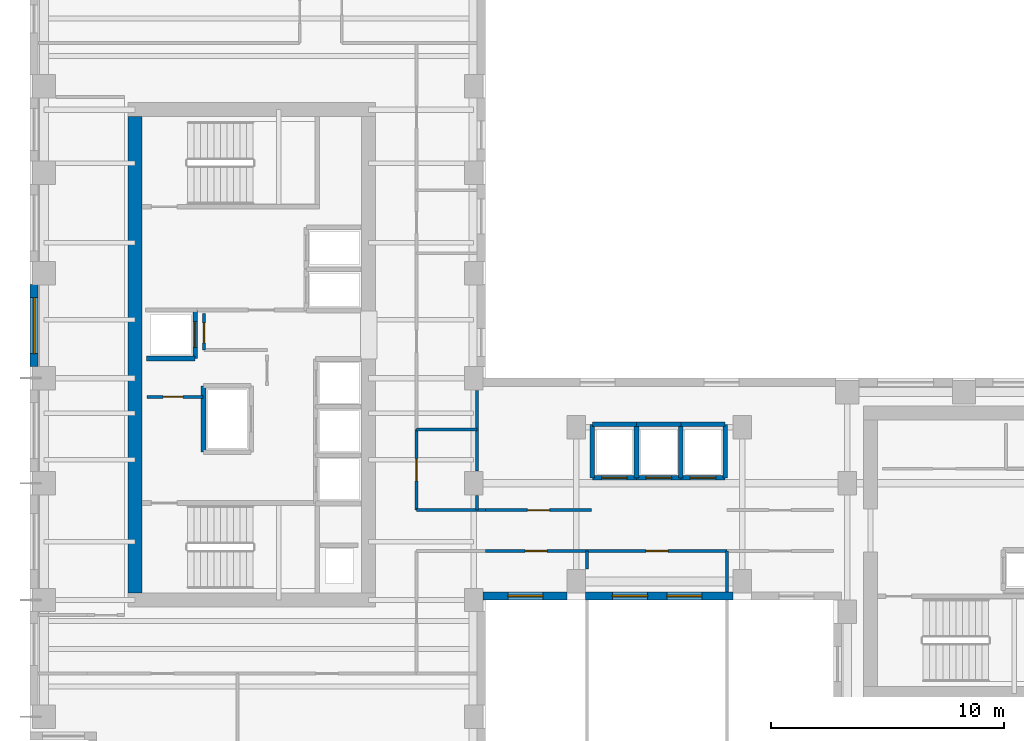
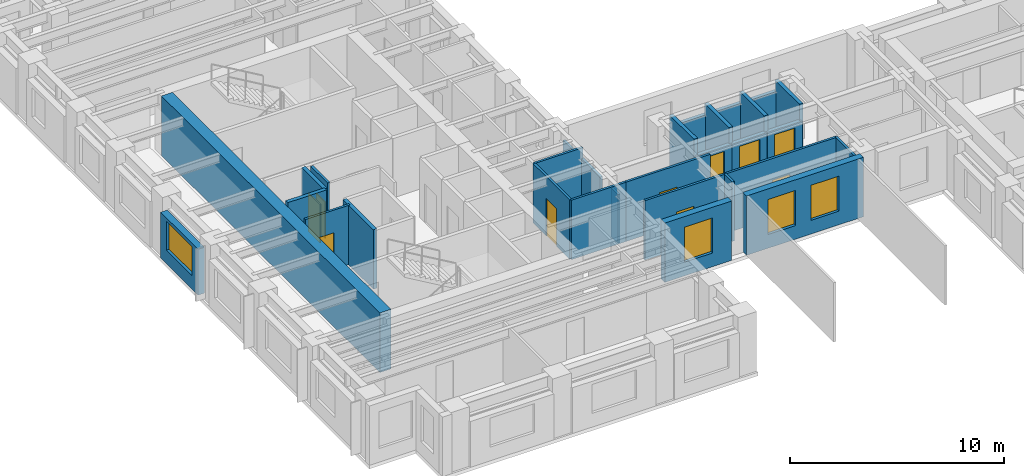
# One storey, part 4 of 11: 29 walls, 10 doors, 4 windows, 14 openings.
"""IFC4 building model written with IfcOpenShell, lengths in metres."""

from ifc_helpers import new_model, si_unit, direction, frame, frame_2d, origin, place, context, subcontext, project, spatial, rectangle, extrude, source, transform, mapped, material, layer, layer_set, type_object, element, fill, save


model = new_model("IFC4")

# Units and contexts
model_context = context("Model", 3, precision=1e-05, world=origin(), true_north=direction((0.0, 1.0)))
body_context = subcontext(model_context, "Body", "Model", "MODEL_VIEW")
ifc_project = project(units=[si_unit("LENGTHUNIT", "METRE"), si_unit("AREAUNIT", "SQUARE_METRE"), si_unit("VOLUMEUNIT", "CUBIC_METRE"), si_unit("PLANEANGLEUNIT", "RADIAN"), si_unit("MASSUNIT", "GRAM", prefix="KILO")], contexts=[model_context])

# Site, building, storey
site_placement = place(None, origin())
site = spatial("IfcSite", under=ifc_project, at=site_placement, CompositionType="ELEMENT")
building_placement = place(site_placement, origin())
building = spatial("IfcBuilding", under=site, at=building_placement, Name="Kharzan Plaza Tower", CompositionType="ELEMENT")
storey_placement = place(building_placement, frame((0.0, 0.0, 186.300048828125)))
storey = spatial("IfcBuildingStorey", under=building, at=storey_placement, Name="L50", CompositionType="ELEMENT", Elevation=186.300048828125)

# Wall, opening, window
ifc_material_1 = material(Name="Concrete C40/50", Category="concrete")
ifc_layer_1 = layer(ifc_material_1, 0.35009765625)
ifc_layer_set_1 = layer_set([ifc_layer_1], Name="Concrete C40/50")
wall_type_1 = type_object("IfcWallType", Name="WL-EXT-MAS-Z3", PredefinedType="SOLIDWALL", material=ifc_layer_set_1)
wall_1_placement = place(storey_placement, frame((0.175048828125, 22.001953125, 0.0), z_axis=(0.0, 0.0, 1.0), x_axis=(0.0, -1.0, 0.0)))
wall_1 = element("IfcWall", 1, at=wall_1_placement, inside=storey, type_object=wall_type_1, Name="L50 Masonry-Frame Exterior Wall 14", PredefinedType="SOLIDWALL", context=body_context, shape_type="SweptSolid", body=[
    extrude(rectangle(XDim=3.50390625, YDim=0.35009765625, at=frame_2d((1.751953125, 0.0))), origin(), (0.0, 0.0, 1.0), 2.612060546875),
])
opening_1_placement = place(wall_1_placement, frame((0.552001953125, 0.0, 0.780029296875)))
opening_1 = element("IfcOpeningElement", 2, at=opening_1_placement, cuts=wall_1, Name="Opening W2", PredefinedType="OPENING", context=body_context, shape_type="SweptSolid", body=[
    extrude(rectangle(XDim=2.39990234375, YDim=1.652099609375, at=frame_2d((1.199951171875, 0.826171875))), frame((0.0, 0.18505859375, 0.0), z_axis=(0.0, -1.0, 0.0), x_axis=(1.0, 0.0, 0.0)), (0.0, 0.0, 1.0), 0.3701171875),
])
ifc_material_2 = material(Name="Low-E Double Glazing", Category="glass")
window_type_1 = type_object("IfcWindowType", Name="WN-REC-2400x2100", PartitioningType="SINGLE_PANEL", PredefinedType="WINDOW", material=ifc_material_2)
shared_shape_1 = source(origin(), body_context, "Body", "SweptSolid", [
    extrude(rectangle(XDim=2.39990234375, YDim=1.652099609375, at=frame_2d((1.199951171875, 0.826171875))), frame((0.0, 0.030029296875, 0.0), z_axis=(0.0, -1.0, 0.0), x_axis=(1.0, 0.0, 0.0)), (0.0, 0.0, 1.0), 0.06005859375),
])
window_1_placement = place(opening_1_placement, origin())
window_1 = element("IfcWindow", 3, at=window_1_placement, inside=storey, type_object=window_type_1, Name="L50 Wide Recessed Solar-Control Window 14-1", OverallHeight=1.652099609375, OverallWidth=2.39990234375, PartitioningType="SINGLE_PANEL", PredefinedType="WINDOW", context=body_context, shape_type="MappedRepresentation", body=[
    mapped(shared_shape_1, transform((0.0, 0.0, 0.0), x_axis=(1.0, 0.0, 0.0), y_axis=(0.0, 1.0, 0.0), z_axis=(0.0, 0.0, 1.0))),
])
fill(opening_1, window_1)

wall_2_placement = place(storey_placement, frame((19.39794921875, 8.675048828125, 0.0), z_axis=(0.0, 0.0, 1.0), x_axis=(1.0, 0.0, 0.0)))
wall_2 = element("IfcWall", 4, at=wall_2_placement, inside=storey, type_object=wall_type_1, Name="L50 Masonry-Frame Exterior Wall 26", PredefinedType="SOLIDWALL", context=body_context, shape_type="SweptSolid", body=[
    extrude(rectangle(XDim=3.60400390625, YDim=0.35009765625, at=frame_2d((1.802001953125, 0.0))), origin(), (0.0, 0.0, 1.0), 3.385009765625),
])
opening_2_placement = place(wall_2_placement, frame((1.067138671875, 0.0, 0.780029296875)))
opening_2 = element("IfcOpeningElement", 5, at=opening_2_placement, cuts=wall_2, Name="Opening W5", PredefinedType="OPENING", context=body_context, shape_type="SweptSolid", body=[
    extrude(rectangle(XDim=1.5, YDim=2.0, at=frame_2d((0.75, 1.0))), frame((0.0, 0.18505859375, 0.0), z_axis=(0.0, -1.0, 0.0), x_axis=(1.0, 0.0, 0.0)), (0.0, 0.0, 1.0), 0.3701171875),
])
window_type_2 = type_object("IfcWindowType", Name="WN-SLT-1500x2000", PartitioningType="SINGLE_PANEL", PredefinedType="WINDOW", material=ifc_material_2)
shared_shape_2 = source(origin(), body_context, "Body", "SweptSolid", [
    extrude(rectangle(XDim=1.5, YDim=2.0, at=frame_2d((0.75, 1.0))), frame((0.0, 0.030029296875, 0.0), z_axis=(0.0, -1.0, 0.0), x_axis=(1.0, 0.0, 0.0)), (0.0, 0.0, 1.0), 0.06005859375),
])
window_2_placement = place(opening_2_placement, origin())
window_2 = element("IfcWindow", 6, at=window_2_placement, inside=storey, type_object=window_type_2, Name="L50 Recessed Solar-Control Window 26-1", OverallHeight=2.0, OverallWidth=1.5, PartitioningType="SINGLE_PANEL", PredefinedType="WINDOW", context=body_context, shape_type="MappedRepresentation", body=[
    mapped(shared_shape_2, transform((0.0, 0.0, 0.0), x_axis=(1.0, 0.0, 0.0), y_axis=(0.0, 1.0, 0.0), z_axis=(0.0, 0.0, 1.0))),
])
fill(opening_2, window_2)

# Wall, openings, windows
wall_3_placement = place(storey_placement, frame((23.798095703125, 8.675048828125, 0.0), z_axis=(0.0, 0.0, 1.0), x_axis=(1.0, 0.0, 0.0)))
wall_3 = element("IfcWall", 7, at=wall_3_placement, inside=storey, type_object=wall_type_1, Name="L50 Masonry-Frame Exterior Wall 27", PredefinedType="SOLIDWALL", context=body_context, shape_type="SweptSolid", body=[
    extrude(rectangle(XDim=6.303955078125, YDim=0.35009765625, at=frame_2d((3.15185546875, 0.0))), origin(), (0.0, 0.0, 1.0), 3.385009765625),
])
opening_3_placement = place(wall_3_placement, frame((1.147216796875, 0.0, 0.780029296875)))
opening_3 = element("IfcOpeningElement", 8, at=opening_3_placement, cuts=wall_3, Name="Opening W5", PredefinedType="OPENING", context=body_context, shape_type="SweptSolid", body=[
    extrude(rectangle(XDim=1.5, YDim=2.0, at=frame_2d((0.75, 1.0))), frame((0.0, 0.18505859375, 0.0), z_axis=(0.0, -1.0, 0.0), x_axis=(1.0, 0.0, 0.0)), (0.0, 0.0, 1.0), 0.3701171875),
])
opening_4_placement = place(wall_3_placement, frame((3.474609375, 0.0, 0.780029296875)))
opening_4 = element("IfcOpeningElement", 9, at=opening_4_placement, cuts=wall_3, Name="Opening W5", PredefinedType="OPENING", context=body_context, shape_type="SweptSolid", body=[
    extrude(rectangle(XDim=1.5, YDim=2.0, at=frame_2d((0.75, 1.0))), frame((0.0, 0.18505859375, 0.0), z_axis=(0.0, -1.0, 0.0), x_axis=(1.0, 0.0, 0.0)), (0.0, 0.0, 1.0), 0.3701171875),
])
window_3_placement = place(opening_3_placement, origin())
window_3 = element("IfcWindow", 10, at=window_3_placement, inside=storey, type_object=window_type_2, Name="L50 Recessed Solar-Control Window 27-1", OverallHeight=2.0, OverallWidth=1.5, PartitioningType="SINGLE_PANEL", PredefinedType="WINDOW", context=body_context, shape_type="MappedRepresentation", body=[
    mapped(shared_shape_2, transform((0.0, 0.0, 0.0), x_axis=(1.0, 0.0, 0.0), y_axis=(0.0, 1.0, 0.0), z_axis=(0.0, 0.0, 1.0))),
])
fill(opening_3, window_3)
window_4_placement = place(opening_4_placement, origin())
window_4 = element("IfcWindow", 11, at=window_4_placement, inside=storey, type_object=window_type_2, Name="L50 Recessed Solar-Control Window 27-2", OverallHeight=2.0, OverallWidth=1.5, PartitioningType="SINGLE_PANEL", PredefinedType="WINDOW", context=body_context, shape_type="MappedRepresentation", body=[
    mapped(shared_shape_2, transform((0.0, 0.0, 0.0), x_axis=(1.0, 0.0, 0.0), y_axis=(0.0, 1.0, 0.0), z_axis=(0.0, 0.0, 1.0))),
])
fill(opening_4, window_4)

# Wall, opening, door
ifc_material_3 = material(Name="Fire-Rated Gypsum Board Partition", Category="gypsum")
ifc_layer_2 = layer(ifc_material_3, 0.125)
ifc_layer_set_2 = layer_set([ifc_layer_2], Name="Fire-Rated Gypsum Board Partition")
wall_type_2 = type_object("IfcWallType", Name="WL-INT-PART-125", PredefinedType="PARTITIONING", material=ifc_layer_set_2)
wall_4_placement = place(storey_placement, frame((7.449951171875, 19.199951171875, 0.0), z_axis=(0.0, 0.0, 1.0), x_axis=(0.0, 1.0, 0.0)))
wall_4 = element("IfcWall", 12, at=wall_4_placement, inside=storey, type_object=wall_type_2, Name="L50 Interior Partition CA-K2B", PredefinedType="PARTITIONING", context=body_context, shape_type="SweptSolid", body=[
    extrude(rectangle(XDim=1.580078125, YDim=0.125, at=frame_2d((0.7900390625, 0.0))), origin(), (0.0, 0.0, 1.0), 3.385009765625),
])
opening_5_placement = place(wall_4_placement, frame((0.31494140625, 0.0, 0.0)))
opening_5 = element("IfcOpeningElement", 13, at=opening_5_placement, cuts=wall_4, Name="Opening RD1", PredefinedType="OPENING", context=body_context, shape_type="SweptSolid", body=[
    extrude(rectangle(XDim=0.85009765625, YDim=2.10009765625, at=frame_2d((0.425048828125, 1.050048828125))), frame((0.0, 0.072509765625, 0.0), z_axis=(0.0, -1.0, 0.0), x_axis=(1.0, 0.0, 0.0)), (0.0, 0.0, 1.0), 0.14501953125),
])
ifc_material_4 = material(Name="Powder-Coated Fire-Rated Steel", Category="steel")
door_type_1 = type_object("IfcDoorType", Name="DR-RISER-900", OperationType="NOTDEFINED", PredefinedType="DOOR", material=ifc_material_4)
shared_shape_3 = source(origin(), body_context, "Body", "SweptSolid", [
    extrude(rectangle(XDim=0.85009765625, YDim=2.10009765625, at=frame_2d((0.425048828125, 1.050048828125))), frame((0.0, 0.02490234375, 0.0), z_axis=(0.0, -1.0, 0.0), x_axis=(1.0, 0.0, 0.0)), (0.0, 0.0, 1.0), 0.050048828125),
])
door_1_placement = place(opening_5_placement, origin())
door_1 = element("IfcDoor", 14, at=door_1_placement, inside=storey, type_object=door_type_1, Name="L50 Core Plant Store Door", OperationType="SINGLE_SWING_LEFT", OverallHeight=2.10009765625, OverallWidth=0.85009765625, PredefinedType="DOOR", context=body_context, shape_type="MappedRepresentation", body=[
    mapped(shared_shape_3, transform((0.0, 0.0, 0.0), x_axis=(1.0, 0.0, 0.0), y_axis=(0.0, 1.0, 0.0), z_axis=(0.0, 0.0, 1.0))),
])
fill(opening_5, door_1)

wall_5_placement = place(storey_placement, frame((5.0, 17.199951171875, 0.0), z_axis=(0.0, 0.0, 1.0), x_axis=(1.0, 0.0, 0.0)))
wall_5 = element("IfcWall", 15, at=wall_5_placement, inside=storey, type_object=wall_type_2, Name="L50 Interior Partition CA-K2N0", PredefinedType="PARTITIONING", context=body_context, shape_type="SweptSolid", body=[
    extrude(rectangle(XDim=2.39990234375, YDim=0.125, at=frame_2d((1.199951171875, 0.0))), origin(), (0.0, 0.0, 1.0), 3.385009765625),
])
opening_6_placement = place(wall_5_placement, frame((0.699951171875, 0.0, 0.0)))
opening_6 = element("IfcOpeningElement", 16, at=opening_6_placement, cuts=wall_5, Name="Opening RD1", PredefinedType="OPENING", context=body_context, shape_type="SweptSolid", body=[
    extrude(rectangle(XDim=0.85009765625, YDim=2.10009765625, at=frame_2d((0.425048828125, 1.050048828125))), frame((0.0, 0.072509765625, 0.0), z_axis=(0.0, -1.0, 0.0), x_axis=(1.0, 0.0, 0.0)), (0.0, 0.0, 1.0), 0.14501953125),
])
door_2_placement = place(opening_6_placement, origin())
door_2 = element("IfcDoor", 17, at=door_2_placement, inside=storey, type_object=door_type_1, Name="L50 Core Electrical Store Door", OperationType="SINGLE_SWING_LEFT", OverallHeight=2.10009765625, OverallWidth=0.85009765625, PredefinedType="DOOR", context=body_context, shape_type="MappedRepresentation", body=[
    mapped(shared_shape_3, transform((0.0, 0.0, 0.0), x_axis=(1.0, 0.0, 0.0), y_axis=(0.0, 1.0, 0.0), z_axis=(0.0, 0.0, 1.0))),
])
fill(opening_6, door_2)

wall_6_placement = place(storey_placement, frame((16.550048828125, 12.35009765625, 0.0), z_axis=(0.0, 0.0, 1.0), x_axis=(0.0, 1.0, 0.0)))
wall_6 = element("IfcWall", 18, at=wall_6_placement, inside=storey, type_object=wall_type_2, Name="L50 Interior Partition SH-AEWN1", PredefinedType="PARTITIONING", context=body_context, shape_type="SweptSolid", body=[
    extrude(rectangle(XDim=3.449951171875, YDim=0.125, at=frame_2d((1.72509765625, 0.0))), origin(), (0.0, 0.0, 1.0), 3.385009765625),
])
opening_7_placement = place(wall_6_placement, frame((1.25, 0.0, 0.0)))
opening_7 = element("IfcOpeningElement", 19, at=opening_7_placement, cuts=wall_6, Name="Opening OD1", PredefinedType="OPENING", context=body_context, shape_type="SweptSolid", body=[
    extrude(rectangle(XDim=0.949951171875, YDim=2.14990234375, at=frame_2d((0.47509765625, 1.074951171875))), frame((0.0, 0.072509765625, 0.0), z_axis=(0.0, -1.0, 0.0), x_axis=(1.0, 0.0, 0.0)), (0.0, 0.0, 1.0), 0.14501953125),
])
ifc_material_5 = material(Name="Acoustic Solid-Core Stained Oak", Category="timber")
door_type_2 = type_object("IfcDoorType", Name="DR-OFF-SINGLE", OperationType="NOTDEFINED", PredefinedType="DOOR", material=ifc_material_5)
shared_shape_4 = source(origin(), body_context, "Body", "SweptSolid", [
    extrude(rectangle(XDim=0.949951171875, YDim=2.14990234375, at=frame_2d((0.47509765625, 1.074951171875))), frame((0.0, 0.02490234375, 0.0), z_axis=(0.0, -1.0, 0.0), x_axis=(1.0, 0.0, 0.0)), (0.0, 0.0, 1.0), 0.050048828125),
])
door_3_placement = place(opening_7_placement, origin())
door_3 = element("IfcDoor", 20, at=door_3_placement, inside=storey, type_object=door_type_2, Name="L50 Slot Collaboration Door", OperationType="SINGLE_SWING_LEFT", OverallHeight=2.14990234375, OverallWidth=0.949951171875, PredefinedType="DOOR", context=body_context, shape_type="MappedRepresentation", body=[
    mapped(shared_shape_4, transform((0.0, 0.0, 0.0), x_axis=(1.0, 0.0, 0.0), y_axis=(0.0, 1.0, 0.0), z_axis=(0.0, 0.0, 1.0))),
])
fill(opening_7, door_3)

wall_7_placement = place(storey_placement, frame((19.5, 12.35009765625, 0.0), z_axis=(0.0, 0.0, 1.0), x_axis=(1.0, 0.0, 0.0)))
wall_7 = element("IfcWall", 21, at=wall_7_placement, inside=storey, type_object=wall_type_2, Name="L50 Interior Partition SH-SPNW1", PredefinedType="PARTITIONING", context=body_context, shape_type="SweptSolid", body=[
    extrude(rectangle(XDim=4.550048828125, YDim=0.125, at=frame_2d((2.27490234375, 0.0))), origin(), (0.0, 0.0, 1.0), 3.385009765625),
])
opening_8_placement = place(wall_7_placement, frame((1.800048828125, 0.0, 0.0)))
opening_8 = element("IfcOpeningElement", 22, at=opening_8_placement, cuts=wall_7, Name="Opening OD1", PredefinedType="OPENING", context=body_context, shape_type="SweptSolid", body=[
    extrude(rectangle(XDim=0.949951171875, YDim=2.14990234375, at=frame_2d((0.47509765625, 1.074951171875))), frame((0.0, 0.072509765625, 0.0), z_axis=(0.0, -1.0, 0.0), x_axis=(1.0, 0.0, 0.0)), (0.0, 0.0, 1.0), 0.14501953125),
])
door_4_placement = place(opening_8_placement, origin())
door_4 = element("IfcDoor", 23, at=door_4_placement, inside=storey, type_object=door_type_2, Name="L50 North-West Spine Door", OperationType="SINGLE_SWING_RIGHT", OverallHeight=2.14990234375, OverallWidth=0.949951171875, PredefinedType="DOOR", context=body_context, shape_type="MappedRepresentation", body=[
    mapped(shared_shape_4, transform((0.0, 0.0, 0.0), x_axis=(1.0, 0.0, 0.0), y_axis=(0.0, 1.0, 0.0), z_axis=(0.0, 0.0, 1.0))),
])
fill(opening_8, door_4)

wall_8_placement = place(storey_placement, frame((19.5, 10.60009765625, 0.0), z_axis=(0.0, 0.0, 1.0), x_axis=(1.0, 0.0, 0.0)))
wall_8 = element("IfcWall", 24, at=wall_8_placement, inside=storey, type_object=wall_type_2, Name="L50 Interior Partition SH-SPS1", PredefinedType="PARTITIONING", context=body_context, shape_type="SweptSolid", body=[
    extrude(rectangle(XDim=4.35009765625, YDim=0.125, at=frame_2d((2.175048828125, 0.0))), origin(), (0.0, 0.0, 1.0), 3.385009765625),
])
opening_9_placement = place(wall_8_placement, frame((1.699951171875, 0.0, 0.0)))
opening_9 = element("IfcOpeningElement", 25, at=opening_9_placement, cuts=wall_8, Name="Opening OD1", PredefinedType="OPENING", context=body_context, shape_type="SweptSolid", body=[
    extrude(rectangle(XDim=0.949951171875, YDim=2.14990234375, at=frame_2d((0.47509765625, 1.074951171875))), frame((0.0, 0.072509765625, 0.0), z_axis=(0.0, -1.0, 0.0), x_axis=(1.0, 0.0, 0.0)), (0.0, 0.0, 1.0), 0.14501953125),
])
door_5_placement = place(opening_9_placement, origin())
door_5 = element("IfcDoor", 26, at=door_5_placement, inside=storey, type_object=door_type_2, Name="L50 Spine Studio 1 Door", OperationType="SINGLE_SWING_LEFT", OverallHeight=2.14990234375, OverallWidth=0.949951171875, PredefinedType="DOOR", context=body_context, shape_type="MappedRepresentation", body=[
    mapped(shared_shape_4, transform((0.0, 0.0, 0.0), x_axis=(1.0, 0.0, 0.0), y_axis=(0.0, 1.0, 0.0), z_axis=(0.0, 0.0, 1.0))),
])
fill(opening_9, door_5)

wall_9_placement = place(storey_placement, frame((23.85009765625, 10.60009765625, 0.0), z_axis=(0.0, 0.0, 1.0), x_axis=(1.0, 0.0, 0.0)))
wall_9 = element("IfcWall", 27, at=wall_9_placement, inside=storey, type_object=wall_type_2, Name="L50 Interior Partition SH-SPS2", PredefinedType="PARTITIONING", context=body_context, shape_type="SweptSolid", body=[
    extrude(rectangle(XDim=6.0, YDim=0.125, at=frame_2d((3.0, 0.0))), origin(), (0.0, 0.0, 1.0), 3.385009765625),
])
opening_10_placement = place(wall_9_placement, frame((2.52490234375, 0.0, 0.0)))
opening_10 = element("IfcOpeningElement", 28, at=opening_10_placement, cuts=wall_9, Name="Opening OD1", PredefinedType="OPENING", context=body_context, shape_type="SweptSolid", body=[
    extrude(rectangle(XDim=0.949951171875, YDim=2.14990234375, at=frame_2d((0.47509765625, 1.074951171875))), frame((0.0, 0.072509765625, 0.0), z_axis=(0.0, -1.0, 0.0), x_axis=(1.0, 0.0, 0.0)), (0.0, 0.0, 1.0), 0.14501953125),
])
door_6_placement = place(opening_10_placement, origin())
door_6 = element("IfcDoor", 29, at=door_6_placement, inside=storey, type_object=door_type_2, Name="L50 Spine Studio 2 Door", OperationType="SINGLE_SWING_RIGHT", OverallHeight=2.14990234375, OverallWidth=0.949951171875, PredefinedType="DOOR", context=body_context, shape_type="MappedRepresentation", body=[
    mapped(shared_shape_4, transform((0.0, 0.0, 0.0), x_axis=(1.0, 0.0, 0.0), y_axis=(0.0, 1.0, 0.0), z_axis=(0.0, 0.0, 1.0))),
])
fill(opening_10, door_6)

ifc_layer_3 = layer(ifc_material_1, 0.199951171875)
ifc_layer_set_3 = layer_set([ifc_layer_3], Name="Concrete C40/50")
wall_type_3 = type_object("IfcWallType", Name="WL-INT-SHAFT-200", PredefinedType="PARTITIONING", material=ifc_layer_set_3)
wall_10_placement = place(storey_placement, frame((7.070068359375, 18.840087890625, 0.0), z_axis=(0.0, 0.0, 1.0), x_axis=(0.0, 1.0, 0.0)))
wall_10 = element("IfcWall", 30, at=wall_10_placement, inside=storey, type_object=wall_type_3, Name="L50 Interior Partition SHF-PL-H4-E", PredefinedType="PARTITIONING", context=body_context, shape_type="SweptSolid", body=[
    extrude(rectangle(XDim=2.059814453125, YDim=0.199951171875, at=frame_2d((1.02978515625, 0.0))), origin(), (0.0, 0.0, 1.0), 3.385009765625),
])
opening_11_placement = place(wall_10_placement, frame((0.47998046875, 0.0, 0.0)))
opening_11 = element("IfcOpeningElement", 31, at=opening_11_placement, cuts=wall_10, Name="Opening LD", PredefinedType="OPENING", context=body_context, shape_type="SweptSolid", body=[
    extrude(rectangle(XDim=1.10009765625, YDim=2.199951171875, at=frame_2d((0.550048828125, 1.10009765625))), frame((0.0, 0.10986328125, 0.0), z_axis=(0.0, -1.0, 0.0), x_axis=(1.0, 0.0, 0.0)), (0.0, 0.0, 1.0), 0.219970703125),
])
ifc_material_6 = material(Name="Brushed Stainless Steel", Category="steel")
door_type_3 = type_object("IfcDoorType", Name="DR-LIFT-SLIDE", OperationType="SLIDING_TO_LEFT", PredefinedType="DOOR", material=ifc_material_6)
shared_shape_5 = source(origin(), body_context, "Body", "SweptSolid", [
    extrude(rectangle(XDim=1.10009765625, YDim=2.199951171875, at=frame_2d((0.550048828125, 1.10009765625))), frame((0.0, 0.02490234375, 0.0), z_axis=(0.0, -1.0, 0.0), x_axis=(1.0, 0.0, 0.0)), (0.0, 0.0, 1.0), 0.050048828125),
])
door_7_placement = place(opening_11_placement, origin())
door_7 = element("IfcDoor", 32, at=door_7_placement, inside=storey, type_object=door_type_3, Name="L50 High-Rise Passenger Lift PL-H4 Sliding Landing Door", OperationType="SLIDING_TO_LEFT", OverallHeight=2.199951171875, OverallWidth=1.10009765625, PredefinedType="DOOR", context=body_context, shape_type="MappedRepresentation", body=[
    mapped(shared_shape_5, transform((0.0, 0.0, 0.0), x_axis=(1.0, 0.0, 0.0), y_axis=(0.0, 1.0, 0.0), z_axis=(0.0, 0.0, 1.0))),
])
fill(opening_11, door_7)

wall_11_placement = place(storey_placement, frame((24.080078125, 13.72998046875, 0.0), z_axis=(0.0, 0.0, 1.0), x_axis=(1.0, 0.0, 0.0)))
wall_11 = element("IfcWall", 33, at=wall_11_placement, inside=storey, type_object=wall_type_3, Name="L50 Interior Partition SHF-PL-M1-S", PredefinedType="PARTITIONING", context=body_context, shape_type="SweptSolid", body=[
    extrude(rectangle(XDim=1.889892578125, YDim=0.199951171875, at=frame_2d((0.94482421875, 0.0))), origin(), (0.0, 0.0, 1.0), 2.466064453125),
])
opening_12_placement = place(wall_11_placement, frame((0.39501953125, 0.0, 0.0)))
opening_12 = element("IfcOpeningElement", 34, at=opening_12_placement, cuts=wall_11, Name="Opening LD", PredefinedType="OPENING", context=body_context, shape_type="SweptSolid", body=[
    extrude(rectangle(XDim=1.10009765625, YDim=2.199951171875, at=frame_2d((0.550048828125, 1.10009765625))), frame((0.0, 0.10986328125, 0.0), z_axis=(0.0, -1.0, 0.0), x_axis=(1.0, 0.0, 0.0)), (0.0, 0.0, 1.0), 0.219970703125),
])
door_8_placement = place(opening_12_placement, origin())
door_8 = element("IfcDoor", 35, at=door_8_placement, inside=storey, type_object=door_type_3, Name="L50 Mid-Rise Passenger Lift PL-M1 Sliding Landing Door", OperationType="SLIDING_TO_LEFT", OverallHeight=2.199951171875, OverallWidth=1.10009765625, PredefinedType="DOOR", context=body_context, shape_type="MappedRepresentation", body=[
    mapped(shared_shape_5, transform((0.0, 0.0, 0.0), x_axis=(1.0, 0.0, 0.0), y_axis=(0.0, 1.0, 0.0), z_axis=(0.0, 0.0, 1.0))),
])
fill(opening_12, door_8)

wall_12_placement = place(storey_placement, frame((25.97998046875, 13.72998046875, 0.0), z_axis=(0.0, 0.0, 1.0), x_axis=(1.0, 0.0, 0.0)))
wall_12 = element("IfcWall", 36, at=wall_12_placement, inside=storey, type_object=wall_type_3, Name="L50 Interior Partition SHF-PL-M2-S", PredefinedType="PARTITIONING", context=body_context, shape_type="SweptSolid", body=[
    extrude(rectangle(XDim=1.89013671875, YDim=0.199951171875, at=frame_2d((0.945068359375, 0.0))), origin(), (0.0, 0.0, 1.0), 2.466064453125),
])
opening_13_placement = place(wall_12_placement, frame((0.39501953125, 0.0, 0.0)))
opening_13 = element("IfcOpeningElement", 37, at=opening_13_placement, cuts=wall_12, Name="Opening LD", PredefinedType="OPENING", context=body_context, shape_type="SweptSolid", body=[
    extrude(rectangle(XDim=1.10009765625, YDim=2.199951171875, at=frame_2d((0.550048828125, 1.10009765625))), frame((0.0, 0.10986328125, 0.0), z_axis=(0.0, -1.0, 0.0), x_axis=(1.0, 0.0, 0.0)), (0.0, 0.0, 1.0), 0.219970703125),
])
door_9_placement = place(opening_13_placement, origin())
door_9 = element("IfcDoor", 38, at=door_9_placement, inside=storey, type_object=door_type_3, Name="L50 Mid-Rise Passenger Lift PL-M2 Sliding Landing Door", OperationType="SLIDING_TO_LEFT", OverallHeight=2.199951171875, OverallWidth=1.10009765625, PredefinedType="DOOR", context=body_context, shape_type="MappedRepresentation", body=[
    mapped(shared_shape_5, transform((0.0, 0.0, 0.0), x_axis=(1.0, 0.0, 0.0), y_axis=(0.0, 1.0, 0.0), z_axis=(0.0, 0.0, 1.0))),
])
fill(opening_13, door_9)

wall_13_placement = place(storey_placement, frame((27.8798828125, 13.72998046875, 0.0), z_axis=(0.0, 0.0, 1.0), x_axis=(1.0, 0.0, 0.0)))
wall_13 = element("IfcWall", 39, at=wall_13_placement, inside=storey, type_object=wall_type_3, Name="L50 Interior Partition SHF-PL-M3-S", PredefinedType="PARTITIONING", context=body_context, shape_type="SweptSolid", body=[
    extrude(rectangle(XDim=1.89013671875, YDim=0.199951171875, at=frame_2d((0.945068359375, 0.0))), origin(), (0.0, 0.0, 1.0), 2.466064453125),
])
opening_14_placement = place(wall_13_placement, frame((0.39501953125, 0.0, 0.0)))
opening_14 = element("IfcOpeningElement", 40, at=opening_14_placement, cuts=wall_13, Name="Opening LD", PredefinedType="OPENING", context=body_context, shape_type="SweptSolid", body=[
    extrude(rectangle(XDim=1.10009765625, YDim=2.199951171875, at=frame_2d((0.550048828125, 1.10009765625))), frame((0.0, 0.10986328125, 0.0), z_axis=(0.0, -1.0, 0.0), x_axis=(1.0, 0.0, 0.0)), (0.0, 0.0, 1.0), 0.219970703125),
])
door_10_placement = place(opening_14_placement, origin())
door_10 = element("IfcDoor", 41, at=door_10_placement, inside=storey, type_object=door_type_3, Name="L50 Mid-Rise Passenger Lift PL-M3 Sliding Landing Door", OperationType="SLIDING_TO_LEFT", OverallHeight=2.199951171875, OverallWidth=1.10009765625, PredefinedType="DOOR", context=body_context, shape_type="MappedRepresentation", body=[
    mapped(shared_shape_5, transform((0.0, 0.0, 0.0), x_axis=(1.0, 0.0, 0.0), y_axis=(0.0, 1.0, 0.0), z_axis=(0.0, 0.0, 1.0))),
])
fill(opening_14, door_10)

# Walls
ifc_material_7 = material(Name="Concrete C50/60", Category="concrete")
ifc_layer_4 = layer(ifc_material_7, 0.60009765625)
ifc_layer_set_4 = layer_set([ifc_layer_4], Name="Concrete C50/60")
wall_type_4 = type_object("IfcWallType", Name="WL-CORE-600", PredefinedType="SHEAR", material=ifc_layer_set_4)
shared_shape_6 = source(origin(), body_context, "Body", "SweptSolid", [
    extrude(rectangle(XDim=20.39990234375, YDim=0.60009765625, at=frame_2d((10.199951171875, 0.0))), origin(), (0.0, 0.0, 1.0), 3.39990234375),
])
wall_14_placement = place(storey_placement, frame((4.5, 8.800048828125, 0.0), z_axis=(0.0, 0.0, 1.0), x_axis=(0.0, 1.0, 0.0)))
element("IfcWall", 42, at=wall_14_placement, inside=storey, type_object=wall_type_4, Name="L50 CORE-A west RC shear wall", PredefinedType="SHEAR", context=body_context, shape_type="MappedRepresentation", body=[
    mapped(shared_shape_6, transform((0.0, 0.0, 0.0), x_axis=(1.0, 0.0, 0.0), y_axis=(0.0, 1.0, 0.0), z_axis=(0.0, 0.0, 1.0))),
])
shared_shape_7 = source(origin(), body_context, "Body", "SweptSolid", [
    extrude(rectangle(XDim=0.6298828125, YDim=0.125, at=frame_2d((0.31494140625, 0.0))), origin(), (0.0, 0.0, 1.0), 2.77294921875),
])
wall_15_placement = place(storey_placement, frame((19.14990234375, 12.35009765625, 0.0), z_axis=(0.0, 0.0, 1.0), x_axis=(0.0, 1.0, 0.0)))
element("IfcWall", 43, at=wall_15_placement, inside=storey, type_object=wall_type_2, Name="L50 Interior Partition SH-AEN-DIV-S1", PredefinedType="PARTITIONING", context=body_context, shape_type="MappedRepresentation", body=[
    mapped(shared_shape_7, transform((0.0, 0.0, 0.0), x_axis=(1.0, 0.0, 0.0), y_axis=(0.0, 1.0, 0.0), z_axis=(0.0, 0.0, 1.0))),
])
shared_shape_8 = source(origin(), body_context, "Body", "SweptSolid", [
    extrude(rectangle(XDim=3.4599609375, YDim=0.125, at=frame_2d((1.72998046875, 0.0))), origin(), (0.0, 0.0, 1.0), 2.77294921875),
])
wall_16_placement = place(storey_placement, frame((19.14990234375, 14.02001953125, 0.0), z_axis=(0.0, 0.0, 1.0), x_axis=(0.0, 1.0, 0.0)))
element("IfcWall", 44, at=wall_16_placement, inside=storey, type_object=wall_type_2, Name="L50 Interior Partition SH-AEN-DIV-S2", PredefinedType="PARTITIONING", context=body_context, shape_type="MappedRepresentation", body=[
    mapped(shared_shape_8, transform((0.0, 0.0, 0.0), x_axis=(1.0, 0.0, 0.0), y_axis=(0.0, 1.0, 0.0), z_axis=(0.0, 0.0, 1.0))),
])
shared_shape_9 = source(origin(), body_context, "Body", "SweptSolid", [
    extrude(rectangle(XDim=2.090087890625, YDim=0.199951171875, at=frame_2d((1.044921875, 0.0))), origin(), (0.0, 0.0, 1.0), 3.385009765625),
])
wall_17_placement = place(storey_placement, frame((4.97998046875, 18.840087890625, 0.0), z_axis=(0.0, 0.0, 1.0), x_axis=(1.0, 0.0, 0.0)))
element("IfcWall", 45, at=wall_17_placement, inside=storey, type_object=wall_type_3, Name="L50 Interior Partition SHF-PL-H4-S", PredefinedType="PARTITIONING", context=body_context, shape_type="MappedRepresentation", body=[
    mapped(shared_shape_9, transform((0.0, 0.0, 0.0), x_axis=(1.0, 0.0, 0.0), y_axis=(0.0, 1.0, 0.0), z_axis=(0.0, 0.0, 1.0))),
])
shared_shape_10 = source(origin(), body_context, "Body", "SweptSolid", [
    extrude(rectangle(XDim=2.2900390625, YDim=0.199951171875, at=frame_2d((1.14501953125, 0.0))), origin(), (0.0, 0.0, 1.0), 3.385009765625),
])
for number, where, z_axis, x_axis, name in (
    (46, (25.969970703125, 13.72998046875, 0.0), (0.0, 0.0, 1.0), (0.0, 1.0, 0.0), "L50 Interior Partition SHF-PL-M1-E"),
    (47, (24.080078125, 13.72998046875, 0.0), (0.0, 0.0, 1.0), (0.0, 1.0, 0.0), "L50 Interior Partition SHF-PL-M1-W"),
    (48, (27.8701171875, 13.72998046875, 0.0), (0.0, 0.0, 1.0), (0.0, 1.0, 0.0), "L50 Interior Partition SHF-PL-M2-E"),
    (49, (29.77001953125, 13.72998046875, 0.0), (0.0, 0.0, 1.0), (0.0, 1.0, 0.0), "L50 Interior Partition SHF-PL-M3-E"),
):
    element("IfcWall", number, at=place(storey_placement, frame(where, z_axis=z_axis, x_axis=x_axis)), inside=storey, type_object=wall_type_3, Name=name, PredefinedType="PARTITIONING", context=body_context, shape_type="MappedRepresentation", body=[
        mapped(shared_shape_10, transform((0.0, 0.0, 0.0), x_axis=(1.0, 0.0, 0.0), y_axis=(0.0, 1.0, 0.0), z_axis=(0.0, 0.0, 1.0))),
    ])
shared_shape_11 = source(origin(), body_context, "Body", "SweptSolid", [
    extrude(rectangle(XDim=1.889892578125, YDim=0.199951171875, at=frame_2d((0.94482421875, 0.0))), origin(), (0.0, 0.0, 1.0), 2.77294921875),
])
wall_18_placement = place(storey_placement, frame((24.080078125, 16.02001953125, 0.0), z_axis=(0.0, 0.0, 1.0), x_axis=(1.0, 0.0, 0.0)))
element("IfcWall", 50, at=wall_18_placement, inside=storey, type_object=wall_type_3, Name="L50 Interior Partition SHF-PL-M1-N", PredefinedType="PARTITIONING", context=body_context, shape_type="MappedRepresentation", body=[
    mapped(shared_shape_11, transform((0.0, 0.0, 0.0), x_axis=(1.0, 0.0, 0.0), y_axis=(0.0, 1.0, 0.0), z_axis=(0.0, 0.0, 1.0))),
])
shared_shape_12 = source(origin(), body_context, "Body", "SweptSolid", [
    extrude(rectangle(XDim=1.89013671875, YDim=0.199951171875, at=frame_2d((0.945068359375, 0.0))), origin(), (0.0, 0.0, 1.0), 2.77294921875),
])
for number, where, z_axis, x_axis, name in (
    (51, (25.97998046875, 16.02001953125, 0.0), (0.0, 0.0, 1.0), (1.0, 0.0, 0.0), "L50 Interior Partition SHF-PL-M2-N"),
    (52, (27.8798828125, 16.02001953125, 0.0), (0.0, 0.0, 1.0), (1.0, 0.0, 0.0), "L50 Interior Partition SHF-PL-M3-N"),
):
    element("IfcWall", number, at=place(storey_placement, frame(where, z_axis=z_axis, x_axis=x_axis)), inside=storey, type_object=wall_type_3, Name=name, PredefinedType="PARTITIONING", context=body_context, shape_type="MappedRepresentation", body=[
        mapped(shared_shape_12, transform((0.0, 0.0, 0.0), x_axis=(1.0, 0.0, 0.0), y_axis=(0.0, 1.0, 0.0), z_axis=(0.0, 0.0, 1.0))),
    ])
shared_shape_13 = source(origin(), body_context, "Body", "SweptSolid", [
    extrude(rectangle(XDim=2.83984375, YDim=0.199951171875, at=frame_2d((1.419921875, 0.0))), origin(), (0.0, 0.0, 1.0), 3.385009765625),
])
wall_19_placement = place(storey_placement, frame((7.429931640625, 14.830078125, 0.0), z_axis=(0.0, 0.0, 1.0), x_axis=(0.0, 1.0, 0.0)))
element("IfcWall", 53, at=wall_19_placement, inside=storey, type_object=wall_type_3, Name="L50 Interior Partition SHF-SVL-1-W", PredefinedType="PARTITIONING", context=body_context, shape_type="MappedRepresentation", body=[
    mapped(shared_shape_13, transform((0.0, 0.0, 0.0), x_axis=(1.0, 0.0, 0.0), y_axis=(0.0, 1.0, 0.0), z_axis=(0.0, 0.0, 1.0))),
])
shared_shape_14 = source(origin(), body_context, "Body", "SweptSolid", [
    extrude(rectangle(XDim=2.949951171875, YDim=0.125, at=frame_2d((1.47509765625, 0.0))), origin(), (0.0, 0.0, 1.0), 3.385009765625),
])
wall_20_placement = place(storey_placement, frame((16.550048828125, 12.35009765625, 0.0), z_axis=(0.0, 0.0, 1.0), x_axis=(1.0, 0.0, 0.0)))
element("IfcWall", 54, at=wall_20_placement, inside=storey, type_object=wall_type_2, Name="L50 Interior Partition SH-SPNW0", PredefinedType="PARTITIONING", context=body_context, shape_type="MappedRepresentation", body=[
    mapped(shared_shape_14, transform((0.0, 0.0, 0.0), x_axis=(1.0, 0.0, 0.0), y_axis=(0.0, 1.0, 0.0), z_axis=(0.0, 0.0, 1.0))),
])
shared_shape_15 = source(origin(), body_context, "Body", "SweptSolid", [
    extrude(rectangle(XDim=2.599853515625, YDim=0.125, at=frame_2d((1.2998046875, 0.0))), origin(), (0.0, 0.0, 1.0), 3.385009765625),
])
wall_21_placement = place(storey_placement, frame((16.550048828125, 15.800048828125, 0.0), z_axis=(0.0, 0.0, 1.0), x_axis=(1.0, 0.0, 0.0)))
element("IfcWall", 55, at=wall_21_placement, inside=storey, type_object=wall_type_2, Name="L50 Interior Partition SH-AEH-158", PredefinedType="PARTITIONING", context=body_context, shape_type="MappedRepresentation", body=[
    mapped(shared_shape_15, transform((0.0, 0.0, 0.0), x_axis=(1.0, 0.0, 0.0), y_axis=(0.0, 1.0, 0.0), z_axis=(0.0, 0.0, 1.0))),
])
shared_shape_16 = source(origin(), body_context, "Body", "SweptSolid", [
    extrude(rectangle(XDim=0.780029296875, YDim=0.125, at=frame_2d((0.39013671875, 0.0))), origin(), (0.0, 0.0, 1.0), 3.385009765625),
])
wall_22_placement = place(storey_placement, frame((23.85009765625, 9.820068359375, 0.0), z_axis=(0.0, 0.0, 1.0), x_axis=(0.0, 1.0, 0.0)))
element("IfcWall", 56, at=wall_22_placement, inside=storey, type_object=wall_type_2, Name="L50 Interior Partition SH-SPSV1-S2", PredefinedType="PARTITIONING", context=body_context, shape_type="MappedRepresentation", body=[
    mapped(shared_shape_16, transform((0.0, 0.0, 0.0), x_axis=(1.0, 0.0, 0.0), y_axis=(0.0, 1.0, 0.0), z_axis=(0.0, 0.0, 1.0))),
])
shared_shape_17 = source(origin(), body_context, "Body", "SweptSolid", [
    extrude(rectangle(XDim=1.748046875, YDim=0.125, at=frame_2d((0.8740234375, 0.0))), origin(), (0.0, 0.0, 1.0), 3.385009765625),
])
wall_23_placement = place(storey_placement, frame((29.85009765625, 8.85205078125, 0.0), z_axis=(0.0, 0.0, 1.0), x_axis=(0.0, 1.0, 0.0)))
element("IfcWall", 57, at=wall_23_placement, inside=storey, type_object=wall_type_2, Name="L50 Interior Partition SH-SPSV2-S2", PredefinedType="PARTITIONING", context=body_context, shape_type="MappedRepresentation", body=[
    mapped(shared_shape_17, transform((0.0, 0.0, 0.0), x_axis=(1.0, 0.0, 0.0), y_axis=(0.0, 1.0, 0.0), z_axis=(0.0, 0.0, 1.0))),
])

save(model, "model.ifc")
